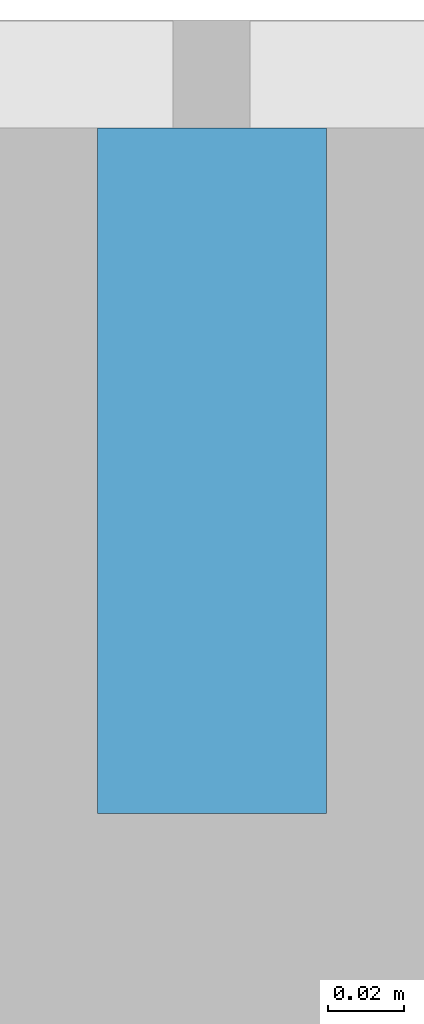
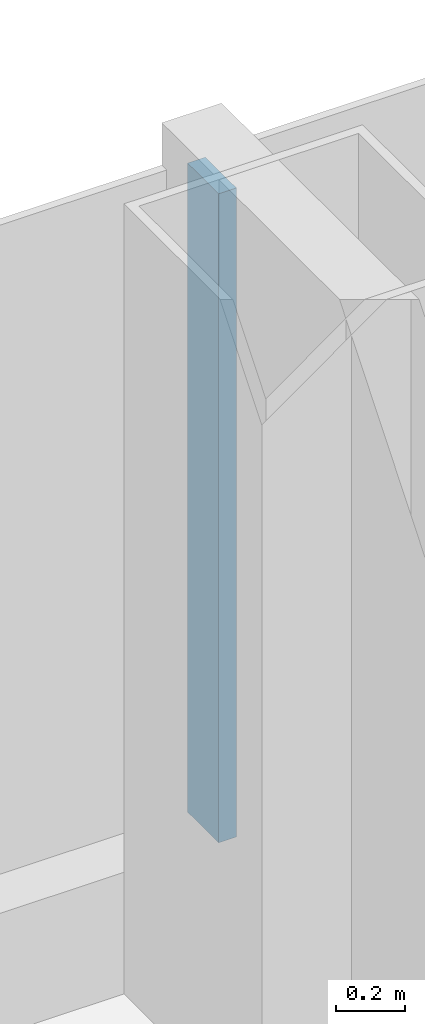
# One storey, part 8 of 29: 1 member, 1 element without a shape of its own.
"""IFC4 building model written with IfcOpenShell, lengths in metres."""

from ifc_helpers import new_model, si_unit, direction, frame, origin, origin_2d, place, context, subcontext, project, spatial, rectangle, extrude, material, layer, layer_set, material_profile, profile_set, type_object, element, aggregate, save


model = new_model("IFC4")

# Units and contexts
model_context = context("Model", 3, precision=1e-05, world=origin(), true_north=direction((0.0, 1.0)))
body_context = subcontext(model_context, "Body", "Model", "MODEL_VIEW")
ifc_project = project(units=[si_unit("LENGTHUNIT", "METRE"), si_unit("AREAUNIT", "SQUARE_METRE"), si_unit("VOLUMEUNIT", "CUBIC_METRE"), si_unit("PLANEANGLEUNIT", "RADIAN"), si_unit("MASSUNIT", "GRAM", prefix="KILO")], contexts=[model_context])

# Site, building, storey
site_placement = place(None, origin())
site = spatial("IfcSite", under=ifc_project, at=site_placement, CompositionType="ELEMENT")
building_placement = place(site_placement, origin())
building = spatial("IfcBuilding", under=site, at=building_placement, Name="Hakoniwa Tower and Hamabe Station Hall", CompositionType="ELEMENT")
storey_placement = place(building_placement, frame((0.0, 0.0, 75.39990234375)))
storey = spatial("IfcBuildingStorey", under=building, at=storey_placement, Name="L20", CompositionType="ELEMENT", Elevation=75.39990234375)

# Curtain wall, member
ifc_material_1 = material(Name="Dark low-e laminated glass", Category="glass")
ifc_layer = layer(ifc_material_1, 0.199951171875)
ifc_layer_set = layer_set([ifc_layer], Name="CW-1 UNITISED GUEST")
curtain_wall_type = type_object("IfcCurtainWallType", Name="CW-1 UNITISED GUEST", PredefinedType="NOTDEFINED", material=ifc_layer_set)
curtain_wall_placement = place(storey_placement, origin())
curtain_wall = element("IfcCurtainWall", 1, at=curtain_wall_placement, inside=storey, type_object=curtain_wall_type, Name="CW-1 curtain wall", PredefinedType="NOTDEFINED")
ifc_material_2 = material(Name="Aluminium 6063-T5 black anodised", Category="aluminium")
ifc_material_profile = material_profile(ifc_material_2, rectangle(XDim=0.06005859375, YDim=0.179931640625, at=origin_2d()), Name="CW-1 MULLION 60X180")
ifc_profile_set = profile_set([ifc_material_profile], Name="Aluminium 6063-T5 black anodised")
member_type = type_object("IfcMemberType", Name="CW-1 MULLION 60X180", PredefinedType="MULLION", material=ifc_profile_set)
member_placement = place(storey_placement, frame((-8.39990234375, 23.431884765625, 0.35009765625), z_axis=(0.0, 0.0, 1.0), x_axis=(-1.0, 0.0, 0.0)))
member = element("IfcMember", 2, at=member_placement, type_object=member_type, Name="CW-1 mullion", PredefinedType="MULLION", context=body_context, shape_type="SweptSolid", body=[
    extrude(rectangle(XDim=0.06005859375, YDim=0.179931640625, at=origin_2d()), origin(), (0.0, 0.0, 1.0), 2.300048828125),
])
aggregate(curtain_wall, [member])

save(model, "model.ifc")
